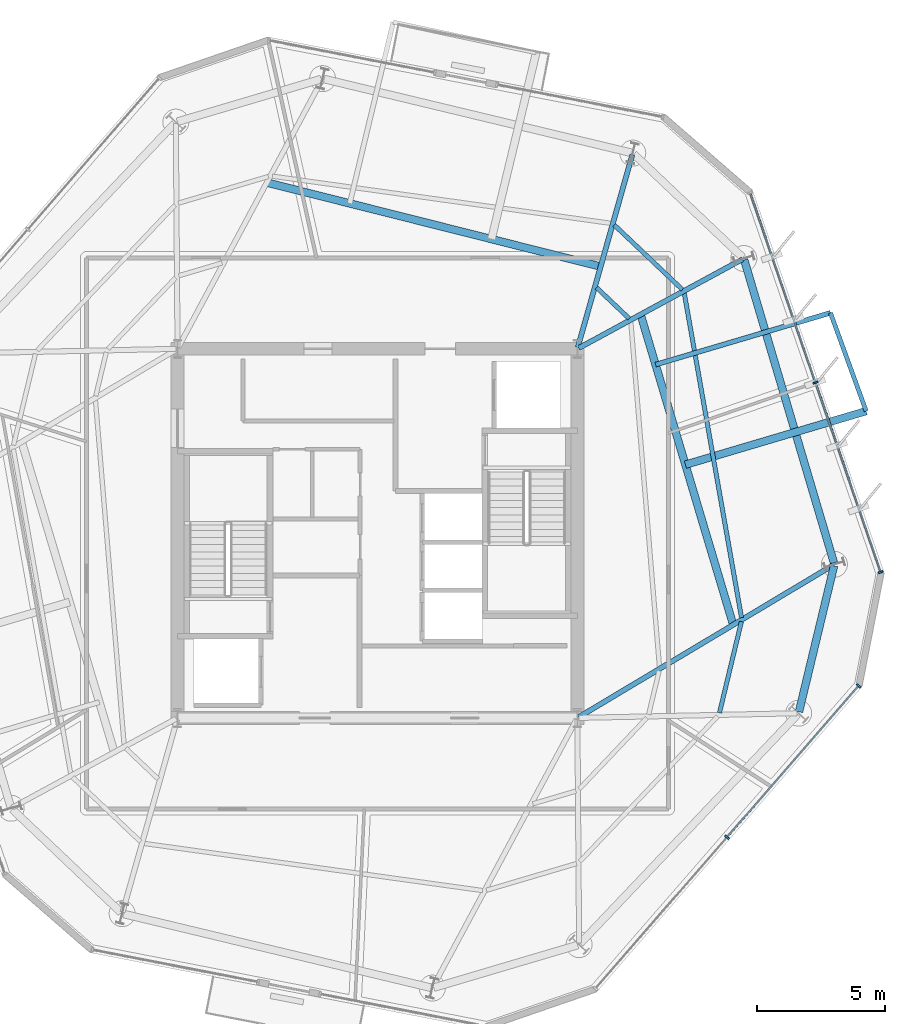
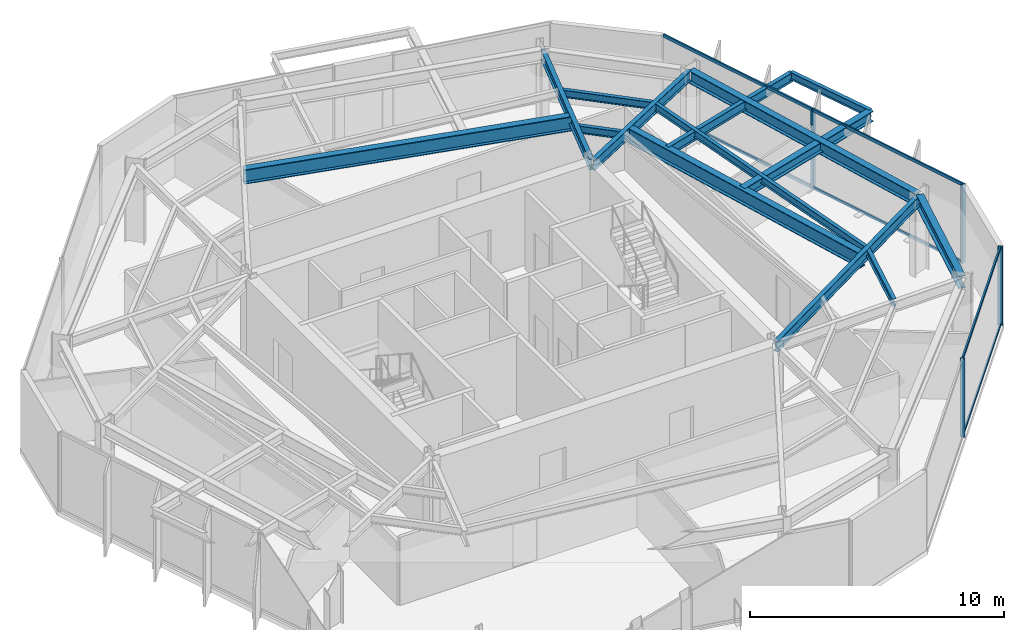
# One storey, part 4 of 11: 14 beams, 10 members, 2 elements without a shape of their own.
"""IFC4 building model written with IfcOpenShell, lengths in metres."""

from ifc_helpers import new_model, si_unit, direction, frame, origin, origin_2d, place, context, subcontext, project, spatial, rectangle, i_section, extrude, material, layer, layer_set, material_profile, profile_set, type_object, element, aggregate, save


model = new_model("IFC4")

# Units and contexts
model_context = context("Model", 3, precision=1e-05, world=origin(), true_north=direction((0.0, 1.0)))
body_context = subcontext(model_context, "Body", "Model", "MODEL_VIEW")
ifc_project = project(units=[si_unit("LENGTHUNIT", "METRE"), si_unit("AREAUNIT", "SQUARE_METRE"), si_unit("VOLUMEUNIT", "CUBIC_METRE"), si_unit("PLANEANGLEUNIT", "RADIAN"), si_unit("MASSUNIT", "GRAM", prefix="KILO")], contexts=[model_context])

# Site, building, storey
site_placement = place(None, origin())
site = spatial("IfcSite", under=ifc_project, at=site_placement, CompositionType="ELEMENT")
building_placement = place(site_placement, origin())
building = spatial("IfcBuilding", under=site, at=building_placement, Name="Kranzbogen Civic Tower", CompositionType="ELEMENT")
storey_placement = place(building_placement, frame((0.0, 0.0, 220.800048828125)))
storey = spatial("IfcBuildingStorey", under=building, at=storey_placement, Name="L53", CompositionType="ELEMENT", Elevation=220.800048828125)

# Beam
ifc_material_1 = material(Name="Steel S355", Category="steel")
ifc_material_profile_1 = material_profile(ifc_material_1, i_section(OverallWidth=0.18994140625, OverallDepth=0.449951171875, WebThickness=0.009521484375, FlangeThickness=0.0146484375, at=origin_2d()), Name="IPE 450")
ifc_profile_set_1 = profile_set([ifc_material_profile_1], Name="Steel S355")
beam_type_1 = type_object("IfcBeamType", Name="Braced Terrace Edge Beam IPE 450", PredefinedType="BEAM", material=ifc_profile_set_1)
beam_1_placement = place(storey_placement, frame((35.85107421875, 31.5830078125, 3.52490234375), z_axis=(0.958811265761, 0.284043934365, 0.0), x_axis=(-0.284043934365, 0.958811265761, 0.0)))
element("IfcBeam", 1, at=beam_1_placement, inside=storey, type_object=beam_type_1, Name="L54 back-spanned terrace beam L54-TB2-2", PredefinedType="BEAM", context=body_context, shape_type="SweptSolid", body=[
    extrude(i_section(OverallWidth=0.18994140625, OverallDepth=0.449951171875, WebThickness=0.009521484375, FlangeThickness=0.0146484375, at=origin_2d()), origin(), (0.0, 0.0, 1.0), 7.114990234375),
])

# Curtain wall, members
ifc_material_2 = material(Name="Pale Anodised Aluminium", Category="aluminium")
ifc_layer = layer(ifc_material_2, 0.219970703125, Name="Pale Anodised Aluminium")
ifc_layer_set = layer_set([ifc_layer], Name="Pale Anodised Aluminium")
curtain_wall_type = type_object("IfcCurtainWallType", Name="Zone 3 Stick Curtain Wall System CW-04", PredefinedType="USERDEFINED", material=ifc_layer_set)
curtain_wall_1_placement = place(storey_placement, origin())
curtain_wall_1 = element("IfcCurtainWall", 2, at=curtain_wall_1_placement, inside=storey, type_object=curtain_wall_type, Name="L53 curtain wall CW-L53-F5", ObjectType="STICK CURTAIN WALL", PredefinedType="USERDEFINED")
ifc_material_profile_2 = material_profile(ifc_material_2, rectangle(XDim=0.070068359375, YDim=0.199951171875, at=origin_2d()), Name="ALU-M 70x200")
ifc_profile_set_2 = profile_set([ifc_material_profile_2], Name="Pale Anodised Aluminium")
member_type_1 = type_object("IfcMemberType", Name="Curtain Wall Mullion ALU-M 70x200", PredefinedType="MULLION", material=ifc_profile_set_2)
member_1_placement = place(storey_placement, frame((38.638427734375, 13.1435546875, 0.0), z_axis=(0.0, 0.0, 1.0), x_axis=(0.656044731829, 0.754722008318, 0.0)))
member_1 = element("IfcMember", 3, at=member_1_placement, type_object=member_type_1, Name="CW-04 mullion 2", PredefinedType="MULLION", context=body_context, shape_type="SweptSolid", body=[
    extrude(rectangle(XDim=0.070068359375, YDim=0.199951171875, at=origin_2d()), origin(), (0.0, 0.0, 1.0), 3.780029296875),
])
member_2_placement = place(storey_placement, frame((43.771240234375, 19.04833984375, 0.0), z_axis=(0.0, 0.0, 1.0), x_axis=(0.656044731829, 0.754722008318, 0.0)))
member_2 = element("IfcMember", 4, at=member_2_placement, type_object=member_type_1, Name="CW-04 mullion 3", PredefinedType="MULLION", context=body_context, shape_type="SweptSolid", body=[
    extrude(rectangle(XDim=0.070068359375, YDim=0.199951171875, at=origin_2d()), origin(), (0.0, 0.0, 1.0), 3.780029296875),
])

curtain_wall_2_placement = place(storey_placement, origin())
curtain_wall_2 = element("IfcCurtainWall", 5, at=curtain_wall_2_placement, inside=storey, type_object=curtain_wall_type, Name="L53 curtain wall CW-L53-F6", ObjectType="STICK CURTAIN WALL", PredefinedType="USERDEFINED")
member_3_placement = place(storey_placement, frame((44.63427734375, 23.486328125, 0.0), z_axis=(0.0, 0.0, 1.0), x_axis=(-0.325590387457, 0.945510919871, 0.0)))
member_3 = element("IfcMember", 6, at=member_3_placement, type_object=member_type_1, Name="CW-04 mullion 1", PredefinedType="MULLION", context=body_context, shape_type="SweptSolid", body=[
    extrude(rectangle(XDim=0.070068359375, YDim=0.199951171875, at=origin_2d()), origin(), (0.0, 0.0, 1.0), 3.780029296875),
])
member_4_placement = place(storey_placement, frame((42.0869140625, 30.883544921875, 0.0), z_axis=(0.0, 0.0, 1.0), x_axis=(-0.325590387457, 0.945510919871, 0.0)))
member_4 = element("IfcMember", 7, at=member_4_placement, type_object=member_type_1, Name="CW-04 mullion 2", PredefinedType="MULLION", context=body_context, shape_type="SweptSolid", body=[
    extrude(rectangle(XDim=0.070068359375, YDim=0.199951171875, at=origin_2d()), origin(), (0.0, 0.0, 1.0), 3.780029296875),
])

# Member
ifc_material_profile_3 = material_profile(ifc_material_2, rectangle(XDim=0.070068359375, YDim=0.14990234375, at=origin_2d()), Name="ALU-T 70x150")
ifc_profile_set_3 = profile_set([ifc_material_profile_3], Name="Pale Anodised Aluminium")
member_type_2 = type_object("IfcMemberType", Name="Curtain Wall Transom ALU-T 70x150", PredefinedType="USERDEFINED", material=ifc_profile_set_3)
member_5_placement = place(storey_placement, frame((38.658203125, 13.166259765625, 0.030029296875), z_axis=(0.65606114776, 0.7547077384, 0.0), x_axis=(-0.7547077384, 0.65606114776, 0.0)))
member_5 = element("IfcMember", 8, at=member_5_placement, type_object=member_type_2, Name="CW-04 transom 2.1", ObjectType="TRANSOM", PredefinedType="USERDEFINED", context=body_context, shape_type="SweptSolid", body=[
    extrude(rectangle(XDim=0.070068359375, YDim=0.14990234375, at=origin_2d()), origin(), (0.0, 0.0, 1.0), 7.763671875),
])

member_6_placement = place(storey_placement, frame((38.658203125, 13.166259765625, 3.75), z_axis=(0.65606114776, 0.7547077384, 0.0), x_axis=(-0.7547077384, 0.65606114776, 0.0)))
member_6 = element("IfcMember", 9, at=member_6_placement, type_object=member_type_2, Name="CW-04 transom 2.2", ObjectType="TRANSOM", PredefinedType="USERDEFINED", context=body_context, shape_type="SweptSolid", body=[
    extrude(rectangle(XDim=0.070068359375, YDim=0.14990234375, at=origin_2d()), origin(), (0.0, 0.0, 1.0), 7.763671875),
])

aggregate(curtain_wall_1, [member_1, member_2, member_5, member_6])

member_7_placement = place(storey_placement, frame((44.62451171875, 23.5146484375, 0.030029296875), z_axis=(-0.325599125574, 0.945507910821, 0.0), x_axis=(-0.945507910821, -0.325599125574, 0.0)))
member_7 = element("IfcMember", 10, at=member_7_placement, type_object=member_type_2, Name="CW-04 transom 1.1", ObjectType="TRANSOM", PredefinedType="USERDEFINED", context=body_context, shape_type="SweptSolid", body=[
    extrude(rectangle(XDim=0.070068359375, YDim=0.14990234375, at=origin_2d()), origin(), (0.0, 0.0, 1.0), 7.763671875),
])

member_8_placement = place(storey_placement, frame((44.62451171875, 23.5146484375, 3.75), z_axis=(-0.325599125574, 0.945507910821, 0.0), x_axis=(-0.945507910821, -0.325599125574, 0.0)))
member_8 = element("IfcMember", 11, at=member_8_placement, type_object=member_type_2, Name="CW-04 transom 1.2", ObjectType="TRANSOM", PredefinedType="USERDEFINED", context=body_context, shape_type="SweptSolid", body=[
    extrude(rectangle(XDim=0.070068359375, YDim=0.14990234375, at=origin_2d()), origin(), (0.0, 0.0, 1.0), 7.763671875),
])

member_9_placement = place(storey_placement, frame((42.0771484375, 30.911865234375, 0.030029296875), z_axis=(-0.325580692964, 0.945514258152, 0.0), x_axis=(-0.945514258152, -0.325580692964, 0.0)))
member_9 = element("IfcMember", 12, at=member_9_placement, type_object=member_type_2, Name="CW-04 transom 2.1", ObjectType="TRANSOM", PredefinedType="USERDEFINED", context=body_context, shape_type="SweptSolid", body=[
    extrude(rectangle(XDim=0.070068359375, YDim=0.14990234375, at=origin_2d()), origin(), (0.0, 0.0, 1.0), 7.763427734375),
])

member_10_placement = place(storey_placement, frame((42.0771484375, 30.911865234375, 3.75), z_axis=(-0.325580692964, 0.945514258152, 0.0), x_axis=(-0.945514258152, -0.325580692964, 0.0)))
member_10 = element("IfcMember", 13, at=member_10_placement, type_object=member_type_2, Name="CW-04 transom 2.2", ObjectType="TRANSOM", PredefinedType="USERDEFINED", context=body_context, shape_type="SweptSolid", body=[
    extrude(rectangle(XDim=0.070068359375, YDim=0.14990234375, at=origin_2d()), origin(), (0.0, 0.0, 1.0), 7.763427734375),
])

aggregate(curtain_wall_2, [member_3, member_4, member_7, member_8, member_9, member_10])

# Beams
ifc_material_profile_4 = material_profile(ifc_material_1, i_section(OverallWidth=0.300048828125, OverallDepth=0.5, WebThickness=0.014404296875, FlangeThickness=0.028076171875, at=origin_2d()), Name="HEB 500")
ifc_profile_set_4 = profile_set([ifc_material_profile_4], Name="Steel S355")
beam_type_2 = type_object("IfcBeamType", Name="Perimeter Tube Spandrel Beam HEB 500", PredefinedType="SPANDREL", material=ifc_profile_set_4)
beam_2_placement = place(storey_placement, frame((37.014892578125, 27.679931640625, 3.5), z_axis=(0.95878907248, 0.284118838681, 0.0), x_axis=(-0.284118838681, 0.95878907248, 0.0)))
element("IfcBeam", 14, at=beam_2_placement, inside=storey, type_object=beam_type_2, Name="L54 back-spanned terrace beam L54-TB2-1", PredefinedType="SPANDREL", context=body_context, shape_type="SweptSolid", body=[
    extrude(i_section(OverallWidth=0.300048828125, OverallDepth=0.5, WebThickness=0.014404296875, FlangeThickness=0.028076171875, at=origin_2d()), origin(), (0.0, 0.0, 1.0), 7.3564453125),
])
ifc_material_profile_5 = material_profile(ifc_material_1, i_section(OverallWidth=0.300048828125, OverallDepth=0.60009765625, WebThickness=0.015380859375, FlangeThickness=0.030029296875, at=origin_2d()), Name="HEB 600")
ifc_profile_set_5 = profile_set([ifc_material_profile_5], Name="Steel S355")
beam_type_3 = type_object("IfcBeamType", Name="Perimeter Tube Spandrel Beam HEB 600", PredefinedType="SPANDREL", material=ifc_profile_set_5)
beam_3_placement = place(storey_placement, frame((41.447021484375, 18.0419921875, 3.47998046875), z_axis=(0.233554380434, 0.972343741369, 0.0), x_axis=(-0.972343741369, 0.233554380434, 0.0)))
element("IfcBeam", 15, at=beam_3_placement, inside=storey, type_object=beam_type_3, Name="L53 perimeter spandrel beam 05", PredefinedType="SPANDREL", context=body_context, shape_type="SweptSolid", body=[
    extrude(i_section(OverallWidth=0.300048828125, OverallDepth=0.60009765625, WebThickness=0.015380859375, FlangeThickness=0.030029296875, at=origin_2d()), origin(), (0.0, 0.0, 1.0), 5.852783203125),
])
beam_4_placement = place(storey_placement, frame((42.81103515625, 23.84912109375, 3.47998046875), z_axis=(-0.284064048956, 0.958805306666, 0.0), x_axis=(-0.958805306666, -0.284064048956, 0.0)))
element("IfcBeam", 16, at=beam_4_placement, inside=storey, type_object=beam_type_3, Name="L53 perimeter spandrel beam 06", PredefinedType="SPANDREL", context=body_context, shape_type="SweptSolid", body=[
    extrude(i_section(OverallWidth=0.300048828125, OverallDepth=0.60009765625, WebThickness=0.015380859375, FlangeThickness=0.030029296875, at=origin_2d()), origin(), (0.0, 0.0, 1.0), 12.32470703125),
])
ifc_material_profile_6 = material_profile(ifc_material_1, i_section(OverallWidth=0.300048828125, OverallDepth=0.699951171875, WebThickness=0.01708984375, FlangeThickness=0.031982421875, at=origin_2d()), Name="HEB 700")
ifc_profile_set_6 = profile_set([ifc_material_profile_6], Name="Steel S355")
beam_type_4 = type_object("IfcBeamType", Name="Perimeter Tube Spandrel Beam HEB 700", PredefinedType="SPANDREL", material=ifc_profile_set_6)
beam_5_placement = place(storey_placement, frame((38.87890625, 21.431884765625, 3.39990234375), z_axis=(-0.285870808606, 0.95826816747, 0.0), x_axis=(-0.95826816747, -0.285870808606, 0.0)))
element("IfcBeam", 17, at=beam_5_placement, inside=storey, type_object=beam_type_4, Name="L54 balcony back-span header girder L54-TB2", PredefinedType="SPANDREL", context=body_context, shape_type="SweptSolid", body=[
    extrude(i_section(OverallWidth=0.300048828125, OverallDepth=0.699951171875, WebThickness=0.01708984375, FlangeThickness=0.031982421875, at=origin_2d()), origin(), (0.0, 0.0, 1.0), 12.634521484375),
])
beam_6_placement = place(storey_placement, frame((33.7080078125, 35.408935546875, 3.369873046875), z_axis=(-0.969754167823, 0.244083702834, 0.0), x_axis=(-0.244083702834, -0.969754167823, 0.0)))
element("IfcBeam", 18, at=beam_6_placement, inside=storey, type_object=beam_type_4, Name="L54 balcony back-span header girder L54-ST", PredefinedType="SPANDREL", context=body_context, shape_type="SweptSolid", body=[
    extrude(i_section(OverallWidth=0.300048828125, OverallDepth=0.699951171875, WebThickness=0.01708984375, FlangeThickness=0.031982421875, at=origin_2d()), origin(), (0.0, 0.0, 1.0), 13.43017578125),
])
ifc_material_profile_7 = material_profile(ifc_material_1, i_section(OverallWidth=0.199951171875, OverallDepth=0.5, WebThickness=0.01025390625, FlangeThickness=0.01611328125, at=origin_2d()), Name="IPE 500")
ifc_profile_set_7 = profile_set([ifc_material_profile_7], Name="Steel S355")
beam_type_5 = type_object("IfcBeamType", Name="Radial Tower Floor Girder IPE 500", PredefinedType="BEAM", material=ifc_profile_set_7)
beam_7_placement = place(storey_placement, frame((42.77587890625, 23.760009765625, 3.530029296875), z_axis=(-0.858458551809, -0.512882944565, 0.0), x_axis=(0.512882944565, -0.858458551809, 0.0)))
element("IfcBeam", 19, at=beam_7_placement, inside=storey, type_object=beam_type_5, Name="L53 radial floor girder 06", PredefinedType="BEAM", context=body_context, shape_type="SweptSolid", body=[
    extrude(i_section(OverallWidth=0.199951171875, OverallDepth=0.5, WebThickness=0.01025390625, FlangeThickness=0.01611328125, at=origin_2d()), origin(), (0.0, 0.0, 1.0), 11.56005859375),
])
beam_8_placement = place(storey_placement, frame((39.239990234375, 35.695068359375, 3.530029296875), z_axis=(-0.878919430102, -0.476970266777, 0.0), x_axis=(0.476970266777, -0.878919430102, 0.0)))
element("IfcBeam", 20, at=beam_8_placement, inside=storey, type_object=beam_type_5, Name="L53 radial floor girder 07", PredefinedType="BEAM", context=body_context, shape_type="SweptSolid", body=[
    extrude(i_section(OverallWidth=0.199951171875, OverallDepth=0.5, WebThickness=0.01025390625, FlangeThickness=0.01611328125, at=origin_2d()), origin(), (0.0, 0.0, 1.0), 7.266845703125),
])
beam_9_placement = place(storey_placement, frame((34.945068359375, 39.777099609375, 3.530029296875), z_axis=(-0.272455078988, -0.962168503919, 0.0), x_axis=(0.962168503919, -0.272455078988, 0.0)))
element("IfcBeam", 21, at=beam_9_placement, inside=storey, type_object=beam_type_5, Name="L53 radial floor girder 08", PredefinedType="BEAM", context=body_context, shape_type="SweptSolid", body=[
    extrude(i_section(OverallWidth=0.199951171875, OverallDepth=0.5, WebThickness=0.01025390625, FlangeThickness=0.01611328125, at=origin_2d()), origin(), (0.0, 0.0, 1.0), 7.814697265625),
])
ifc_material_profile_8 = material_profile(ifc_material_1, i_section(OverallWidth=0.169921875, OverallDepth=0.360107421875, WebThickness=0.008056640625, FlangeThickness=0.0126953125, at=origin_2d()), Name="IPE 360")
ifc_profile_set_8 = profile_set([ifc_material_profile_8], Name="Steel S355")
beam_type_6 = type_object("IfcBeamType", Name="Secondary Composite Floor Joist IPE 360", PredefinedType="JOIST", material=ifc_profile_set_8)
beam_10_placement = place(storey_placement, frame((38.343994140625, 17.99609375, 3.599853515625), z_axis=(0.233534367714, 0.972348548154, 0.0), x_axis=(-0.972348548154, 0.233534367714, 0.0)))
element("IfcBeam", 22, at=beam_10_placement, inside=storey, type_object=beam_type_6, Name="L53 secondary floor joist 1.05", PredefinedType="JOIST", context=body_context, shape_type="SweptSolid", body=[
    extrude(i_section(OverallWidth=0.169921875, OverallDepth=0.360107421875, WebThickness=0.008056640625, FlangeThickness=0.0126953125, at=origin_2d()), origin(), (0.0, 0.0, 1.0), 3.6611328125),
])
beam_11_placement = place(storey_placement, frame((39.2041015625, 21.712890625, 3.599853515625), z_axis=(-0.173805911364, 0.984779927281, 0.0), x_axis=(-0.984779927281, -0.173805911364, 0.0)))
element("IfcBeam", 23, at=beam_11_placement, inside=storey, type_object=beam_type_6, Name="L53 secondary floor joist 1.06", PredefinedType="JOIST", context=body_context, shape_type="SweptSolid", body=[
    extrude(i_section(OverallWidth=0.169921875, OverallDepth=0.360107421875, WebThickness=0.008056640625, FlangeThickness=0.0126953125, at=origin_2d()), origin(), (0.0, 0.0, 1.0), 12.85986328125),
])
beam_12_placement = place(storey_placement, frame((36.89697265625, 34.510009765625, 3.599853515625), z_axis=(-0.725300648604, 0.688432254572, 0.0), x_axis=(-0.688432254572, -0.725300648604, 0.0)))
element("IfcBeam", 24, at=beam_12_placement, inside=storey, type_object=beam_type_6, Name="L53 secondary floor joist 1.07", PredefinedType="JOIST", context=body_context, shape_type="SweptSolid", body=[
    extrude(i_section(OverallWidth=0.169921875, OverallDepth=0.360107421875, WebThickness=0.008056640625, FlangeThickness=0.0126953125, at=origin_2d()), origin(), (0.0, 0.0, 1.0), 3.661865234375),
])
beam_13_placement = place(storey_placement, frame((34.820068359375, 33.383056640625, 3.599853515625), z_axis=(-0.725479767774, 0.688243493649, 0.0), x_axis=(-0.688243493649, -0.725479767774, 0.0)))
element("IfcBeam", 25, at=beam_13_placement, inside=storey, type_object=beam_type_6, Name="L53 secondary floor joist 2.07", PredefinedType="JOIST", context=body_context, shape_type="SweptSolid", body=[
    extrude(i_section(OverallWidth=0.169921875, OverallDepth=0.360107421875, WebThickness=0.008056640625, FlangeThickness=0.0126953125, at=origin_2d()), origin(), (0.0, 0.0, 1.0), 1.75048828125),
])
beam_14_placement = place(storey_placement, frame((44.068115234375, 29.77001953125, 3.570068359375), z_axis=(-0.341925634089, 0.939727013953, 0.0), x_axis=(-0.939727013953, -0.341925634089, 0.0)))
element("IfcBeam", 26, at=beam_14_placement, inside=storey, type_object=beam_type_6, Name="L54 terrace outer edge trimmer L54-TB2", PredefinedType="JOIST", context=body_context, shape_type="SweptSolid", body=[
    extrude(i_section(OverallWidth=0.169921875, OverallDepth=0.360107421875, WebThickness=0.008056640625, FlangeThickness=0.0126953125, at=origin_2d()), origin(), (0.0, 0.0, 1.0), 4.079833984375),
])

save(model, "model.ifc")
